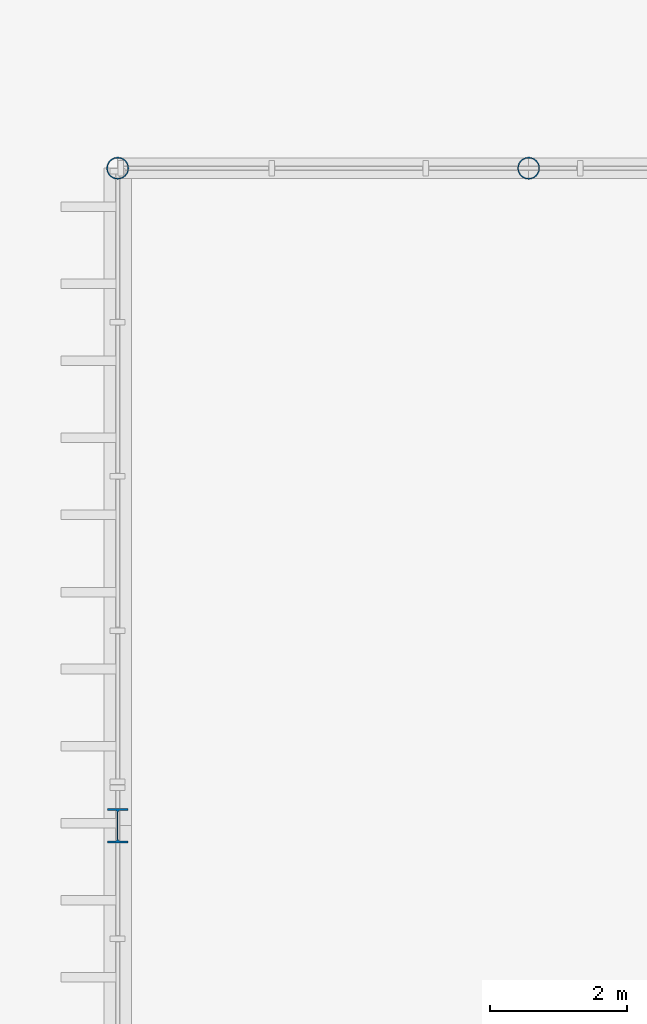
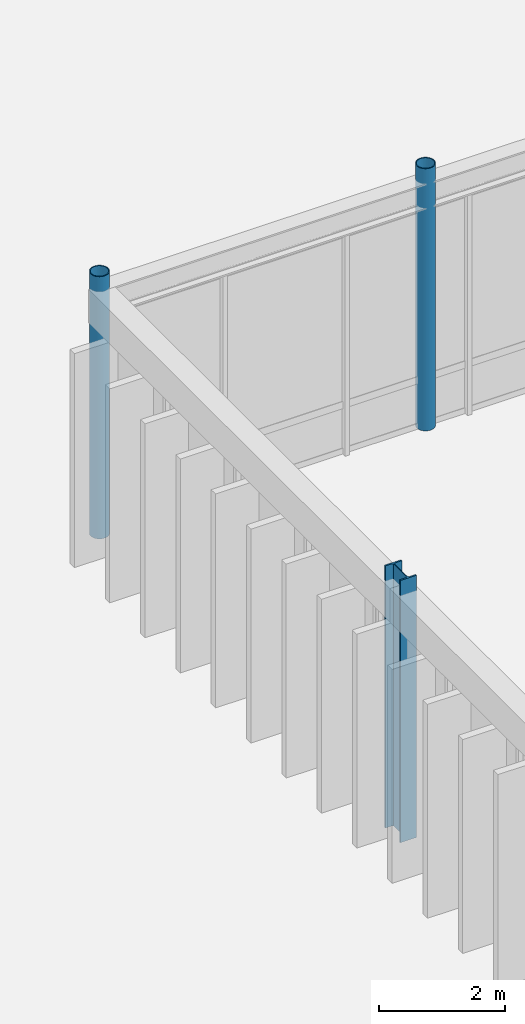
# One storey, part 9 of 64: 3 columns.
"""IFC4 building model written with IfcOpenShell, lengths in metres."""

from ifc_helpers import new_model, si_unit, direction, frame, origin, origin_2d, place, context, subcontext, project, spatial, hollow_circle, i_section, extrude, material, material_profile, profile_set, type_object, element, save


model = new_model("IFC4")

# Units and contexts
model_context = context("Model", 3, precision=1e-05, world=origin(), true_north=direction((0.0, 1.0)))
body_context = subcontext(model_context, "Body", "Model", "MODEL_VIEW")
ifc_project = project(units=[si_unit("LENGTHUNIT", "METRE"), si_unit("AREAUNIT", "SQUARE_METRE"), si_unit("VOLUMEUNIT", "CUBIC_METRE"), si_unit("PLANEANGLEUNIT", "RADIAN"), si_unit("MASSUNIT", "GRAM", prefix="KILO")], contexts=[model_context])

# Site, building, storey
site_placement = place(None, origin())
site = spatial("IfcSite", under=ifc_project, at=site_placement, CompositionType="ELEMENT")
building_placement = place(site_placement, origin())
building = spatial("IfcBuilding", under=site, at=building_placement, Name="Montealbar Specialist Clinic", CompositionType="ELEMENT")
storey_placement = place(building_placement, origin())
storey = spatial("IfcBuildingStorey", under=building, at=storey_placement, Name="L00", CompositionType="ELEMENT", Elevation=0.0)

# Columns
ifc_material = material(Name="Steel S355", Category="steel")
ifc_material_profile_1 = material_profile(ifc_material, hollow_circle(Radius=0.161865234375, WallThickness=0.01611328125, at=origin_2d()), Name="CHS 323.9x16.0", Category="steel")
ifc_profile_set_1 = profile_set([ifc_material_profile_1], Name="Steel S355")
column_type_1 = type_object("IfcColumnType", Name="COL-CHS-HALL-EXT", PredefinedType="COLUMN", material=ifc_profile_set_1)
for number, where, z_axis, x_axis, name in (
    (1, (54.0, 81.0, 0.0), (0.0, 0.0, 1.0), (1.0, 0.0, 0.0), "Column 7/K L00"),
    (2, (60.0, 81.0, 0.0), (0.0, 0.0, 1.0), (1.0, 0.0, 0.0), "Column 8/K L00"),
):
    element("IfcColumn", number, at=place(storey_placement, frame(where, z_axis=z_axis, x_axis=x_axis)), inside=storey, type_object=column_type_1, Name=name, PredefinedType="COLUMN", context=body_context, shape_type="SweptSolid", body=[
        extrude(hollow_circle(Radius=0.161865234375, WallThickness=0.01611328125, at=origin_2d()), origin(), (0.0, 0.0, 1.0), 5.10009765625),
    ])
ifc_material_profile_2 = material_profile(ifc_material, i_section(OverallWidth=0.300048828125, OverallDepth=0.5, WebThickness=0.014404296875, FlangeThickness=0.028076171875, FilletRadius=0.027099609375, at=origin_2d()), Name="HEB 500", Category="steel")
ifc_profile_set_2 = profile_set([ifc_material_profile_2], Name="Steel S355")
column_type_2 = type_object("IfcColumnType", Name="COL-S-L00-STD-EXT", PredefinedType="COLUMN", material=ifc_profile_set_2)
column_placement = place(storey_placement, frame((54.0, 71.39990234375, 0.0), z_axis=(0.0, 0.0, 1.0), x_axis=(1.0, 0.0, 0.0)))
element("IfcColumn", 3, at=column_placement, inside=storey, type_object=column_type_2, Name="Column 7/J L00", PredefinedType="COLUMN", context=body_context, shape_type="SweptSolid", body=[
    extrude(i_section(OverallWidth=0.300048828125, OverallDepth=0.5, WebThickness=0.014404296875, FlangeThickness=0.028076171875, FilletRadius=0.027099609375, at=origin_2d()), origin(), (0.0, 0.0, 1.0), 5.10009765625),
])

save(model, "model.ifc")
